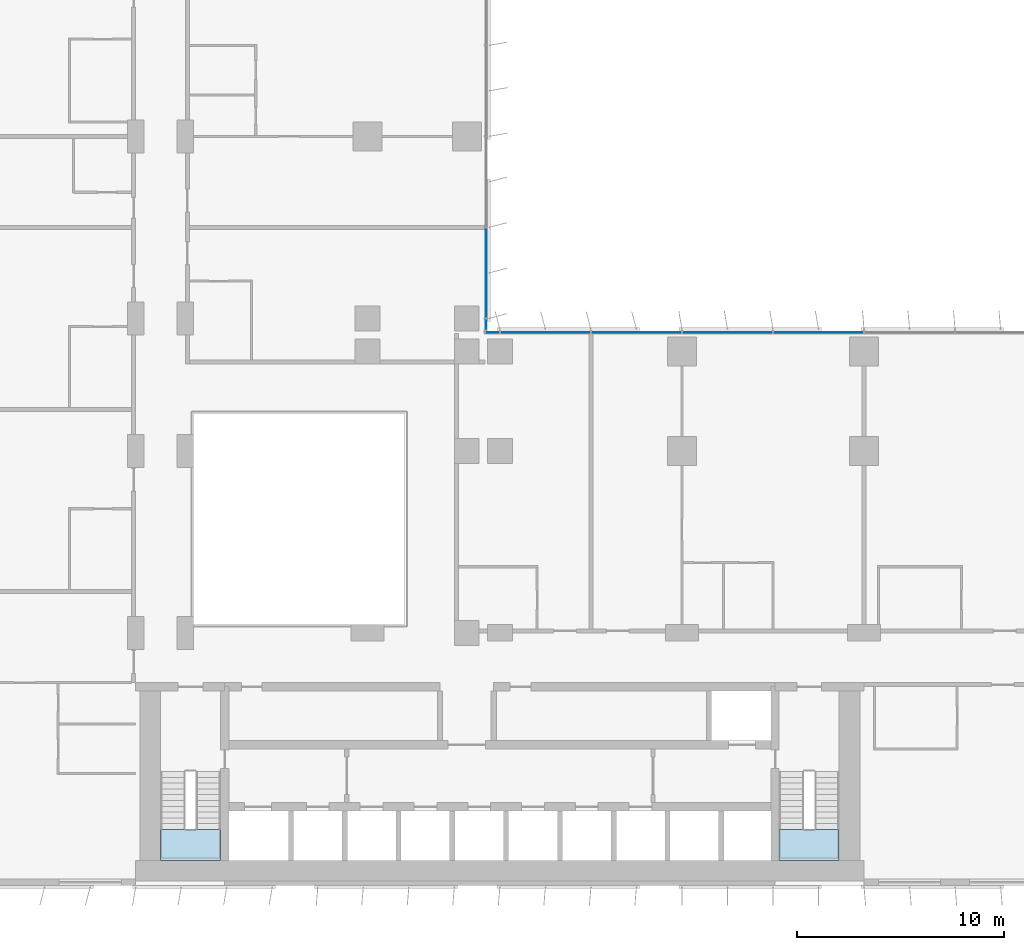
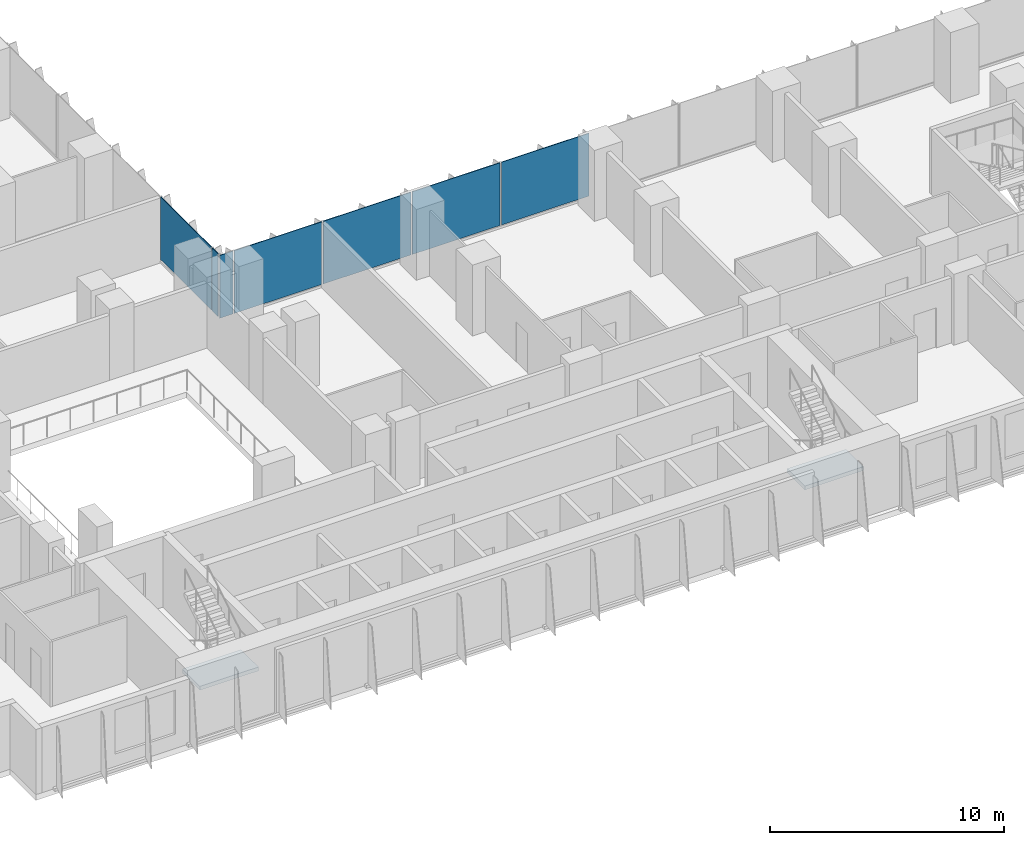
# One storey, part 10 of 24: 7 plates, 2 slabs, 4 elements without a shape of their own.
"""IFC4 building model written with IfcOpenShell, lengths in metres."""

from ifc_helpers import new_model, si_unit, direction, frame, origin, origin_2d, place, context, subcontext, project, spatial, polyline, rectangle, outline, extrude, source, transform, mapped, material, layer, layer_set, type_object, element, aggregate, save


model = new_model("IFC4")

# Units and contexts
model_context = context("Model", 3, precision=1e-05, world=origin(), true_north=direction((0.0, 1.0)))
body_context = subcontext(model_context, "Body", "Model", "MODEL_VIEW")
ifc_project = project(units=[si_unit("LENGTHUNIT", "METRE"), si_unit("AREAUNIT", "SQUARE_METRE"), si_unit("VOLUMEUNIT", "CUBIC_METRE"), si_unit("PLANEANGLEUNIT", "RADIAN"), si_unit("MASSUNIT", "GRAM", prefix="KILO")], contexts=[model_context])

# Site, building, storey
site_placement = place(None, origin())
site = spatial("IfcSite", under=ifc_project, at=site_placement, CompositionType="ELEMENT")
building_placement = place(site_placement, origin())
building = spatial("IfcBuilding", under=site, at=building_placement, Name="Kemantara Hotel Tower", CompositionType="ELEMENT")
storey_placement = place(building_placement, frame((0.0, 0.0, 45.10009765625)))
storey = spatial("IfcBuildingStorey", under=building, at=storey_placement, Name="L09", CompositionType="ELEMENT", Elevation=45.10009765625)

# Stair, slab
ifc_material_1 = material(Name="Concrete fc 40 MPa", Category="concrete")
stair_type = type_object("IfcStairType", Name="Stair 1200 wide 22 risers of 168 x 280 mm", PredefinedType="HALF_TURN_STAIR", material=ifc_material_1)
stair_1_placement = place(storey_placement, origin())
stair_1 = element("IfcStair", 1, at=stair_1_placement, inside=storey, type_object=stair_type, Name="L09 Exit stair ST1", PredefinedType="HALF_TURN_STAIR")
ifc_layer_1 = layer(ifc_material_1, 0.199951171875)
ifc_layer_set_1 = layer_set([ifc_layer_1], Name="Concrete fc 40 MPa")
slab_type = type_object("IfcSlabType", Name="Stair landing 200 mm", PredefinedType="LANDING", material=ifc_layer_set_1)
slab_1_placement = place(storey_placement, frame((0.0, 0.0, 1.64990234375)))
slab_1 = element("IfcSlab", 2, at=slab_1_placement, type_object=slab_type, Name="ST1 landing 1", PredefinedType="LANDING", context=body_context, shape_type="SweptSolid", body=[
    extrude(outline(polyline([(11.0, 2.699951171875), (11.0, 1.199951171875), (13.89990234375, 1.199951171875), (13.89990234375, 2.699951171875), (11.0, 2.699951171875)])), origin(), (0.0, 0.0, 1.0), 0.199951171875),
])
aggregate(stair_1, [slab_1])

stair_2_placement = place(storey_placement, origin())
stair_2 = element("IfcStair", 3, at=stair_2_placement, inside=storey, type_object=stair_type, Name="L09 Exit stair ST2", PredefinedType="HALF_TURN_STAIR")
slab_2_placement = place(storey_placement, frame((0.0, 0.0, 1.64990234375)))
slab_2 = element("IfcSlab", 4, at=slab_2_placement, type_object=slab_type, Name="ST2 landing 1", PredefinedType="LANDING", context=body_context, shape_type="SweptSolid", body=[
    extrude(outline(polyline([(40.89990234375, 2.699951171875), (40.89990234375, 1.199951171875), (43.800048828125, 1.199951171875), (43.800048828125, 2.699951171875), (40.89990234375, 2.699951171875)])), origin(), (0.0, 0.0, 1.0), 0.199951171875),
])
aggregate(stair_2, [slab_2])

# Curtain wall, plates
ifc_material_2 = material(Name="Low-E tinted double insulated glass 36 mm", Category="glass")
curtain_wall_type = type_object("IfcCurtainWallType", Name="TOWER CURTAIN WALL, FRONT FACES", PredefinedType="USERDEFINED", material=ifc_material_2)
curtain_wall_1_placement = place(storey_placement, origin())
curtain_wall_1 = element("IfcCurtainWall", 5, at=curtain_wall_1_placement, inside=storey, type_object=curtain_wall_type, Name="CW4 L09 T1-R07-1", ObjectType="TOWER CURTAIN WALL, FRONT FACES", PredefinedType="USERDEFINED")
ifc_layer_2 = layer(ifc_material_2, 0.035888671875)
ifc_layer_set_2 = layer_set([ifc_layer_2], Name="Low-E tinted double insulated glass 36 mm")
plate_type = type_object("IfcPlateType", Name="TOWER CURTAIN WALL, FRONT FACES PANEL", PredefinedType="CURTAIN_PANEL", material=ifc_layer_set_2)
shared_shape_1 = source(origin(), body_context, "Body", "SweptSolid", [
    extrude(rectangle(XDim=4.340087890625, YDim=0.035888671875, at=origin_2d()), origin(), (0.0, 0.0, 1.0), 3.280029296875),
])
plate_1_placement = place(storey_placement, frame((42.800048828125, 26.72509765625, 0.1201171875), z_axis=(0.0, 0.0, 1.0), x_axis=(-1.0, 0.0, 0.0)))
plate_1 = element("IfcPlate", 6, at=plate_1_placement, type_object=plate_type, Name="CW4 glass panel T1-R07-1.9", PredefinedType="CURTAIN_PANEL", context=body_context, shape_type="MappedRepresentation", body=[
    mapped(shared_shape_1, transform((0.0, 0.0, 0.0))),
])
plate_2_placement = place(storey_placement, frame((38.39990234375, 26.72509765625, 0.1201171875), z_axis=(0.0, 0.0, 1.0), x_axis=(-1.0, 0.0, 0.0)))
plate_2 = element("IfcPlate", 7, at=plate_2_placement, type_object=plate_type, Name="CW4 glass panel T1-R07-1.10", PredefinedType="CURTAIN_PANEL", context=body_context, shape_type="MappedRepresentation", body=[
    mapped(shared_shape_1, transform((0.0, 0.0, 0.0))),
])
plate_3_placement = place(storey_placement, frame((34.0, 26.72509765625, 0.1201171875), z_axis=(0.0, 0.0, 1.0), x_axis=(-1.0, 0.0, 0.0)))
plate_3 = element("IfcPlate", 8, at=plate_3_placement, type_object=plate_type, Name="CW4 glass panel T1-R07-1.11", PredefinedType="CURTAIN_PANEL", context=body_context, shape_type="MappedRepresentation", body=[
    mapped(shared_shape_1, transform((0.0, 0.0, 0.0))),
])
plate_4_placement = place(storey_placement, frame((29.60009765625, 26.72509765625, 0.1201171875), z_axis=(0.0, 0.0, 1.0), x_axis=(-1.0, 0.0, 0.0)))
plate_4 = element("IfcPlate", 9, at=plate_4_placement, type_object=plate_type, Name="CW4 glass panel T1-R07-1.12", PredefinedType="CURTAIN_PANEL", context=body_context, shape_type="MappedRepresentation", body=[
    mapped(shared_shape_1, transform((0.0, 0.0, 0.0))),
])

# Curtain wall, plate
curtain_wall_2_placement = place(storey_placement, origin())
curtain_wall_2 = element("IfcCurtainWall", 10, at=curtain_wall_2_placement, inside=storey, type_object=curtain_wall_type, Name="CW4 L09 T1-R08-1", ObjectType="TOWER CURTAIN WALL, FRONT FACES", PredefinedType="USERDEFINED")
plate_5_placement = place(storey_placement, frame((26.72509765625, 29.60009765625, 0.1201171875), z_axis=(0.0, 0.0, 1.0), x_axis=(0.0, 1.0, 0.0)))
plate_5 = element("IfcPlate", 11, at=plate_5_placement, type_object=plate_type, Name="CW4 glass panel T1-R08-1.2", PredefinedType="CURTAIN_PANEL", context=body_context, shape_type="MappedRepresentation", body=[
    mapped(shared_shape_1, transform((0.0, 0.0, 0.0))),
])

# Plate
shared_shape_2 = source(origin(), body_context, "Body", "SweptSolid", [
    extrude(rectangle(XDim=0.659912109375, YDim=0.035888671875, at=origin_2d()), origin(), (0.0, 0.0, 1.0), 3.280029296875),
])
plate_6_placement = place(storey_placement, frame((27.0400390625, 26.72509765625, 0.1201171875), z_axis=(0.0, 0.0, 1.0), x_axis=(-1.0, 0.0, 0.0)))
plate_6 = element("IfcPlate", 12, at=plate_6_placement, type_object=plate_type, Name="CW4 glass panel T1-R07-1.13", PredefinedType="CURTAIN_PANEL", context=body_context, shape_type="MappedRepresentation", body=[
    mapped(shared_shape_2, transform((0.0, 0.0, 0.0))),
])

aggregate(curtain_wall_1, [plate_1, plate_2, plate_3, plate_4, plate_6])

shared_shape_3 = source(origin(), body_context, "Body", "SweptSolid", [
    extrude(rectangle(XDim=0.510009765625, YDim=0.035888671875, at=origin_2d()), origin(), (0.0, 0.0, 1.0), 3.280029296875),
])
plate_7_placement = place(storey_placement, frame((26.72509765625, 27.114990234375, 0.1201171875), z_axis=(0.0, 0.0, 1.0), x_axis=(0.0, 1.0, 0.0)))
plate_7 = element("IfcPlate", 13, at=plate_7_placement, type_object=plate_type, Name="CW4 glass panel T1-R08-1.1", PredefinedType="CURTAIN_PANEL", context=body_context, shape_type="MappedRepresentation", body=[
    mapped(shared_shape_3, transform((0.0, 0.0, 0.0))),
])

aggregate(curtain_wall_2, [plate_7, plate_5])

save(model, "model.ifc")
